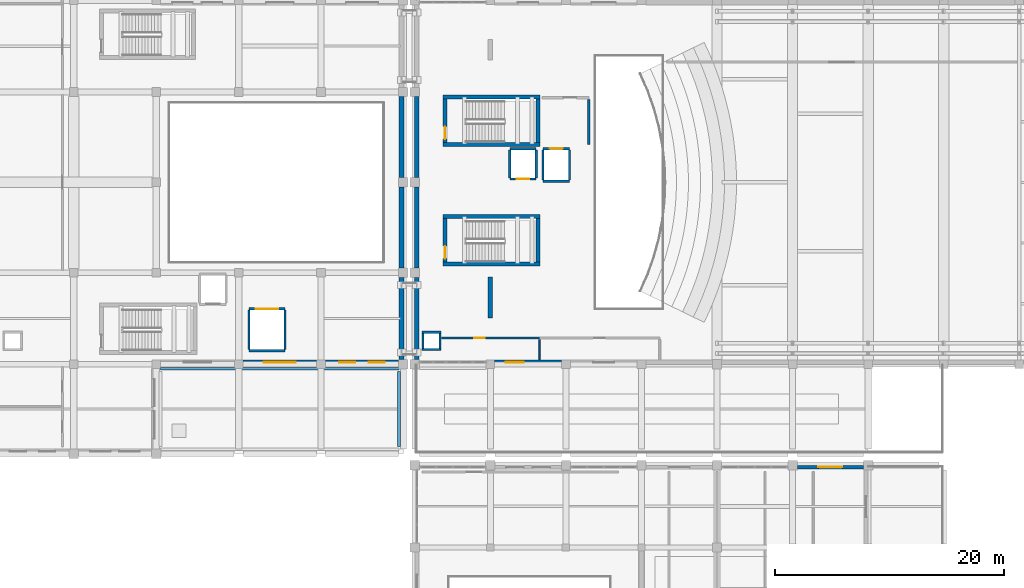
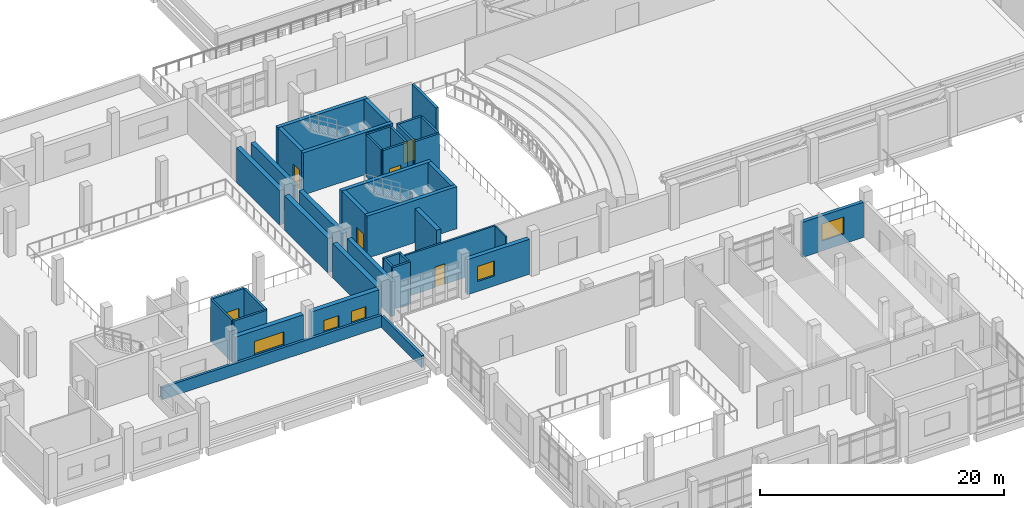
# One storey, part 39 of 54: 40 walls, 6 doors, 5 windows, 11 openings.
"""IFC4 building model written with IfcOpenShell, lengths in metres."""

from ifc_helpers import new_model, si_unit, direction, frame, frame_2d, origin, place, context, subcontext, project, spatial, rectangle, extrude, material, layer, layer_set, type_object, element, fill, save


model = new_model("IFC4")

# Units and contexts
model_context = context("Model", 3, precision=1e-05, world=origin(), true_north=direction((0.0, 1.0)))
body_context = subcontext(model_context, "Body", "Model", "MODEL_VIEW")
ifc_project = project(units=[si_unit("LENGTHUNIT", "METRE"), si_unit("AREAUNIT", "SQUARE_METRE"), si_unit("VOLUMEUNIT", "CUBIC_METRE"), si_unit("PLANEANGLEUNIT", "RADIAN"), si_unit("MASSUNIT", "GRAM", prefix="KILO")], contexts=[model_context])

# Site, building, storey
site_placement = place(None, origin())
site = spatial("IfcSite", under=ifc_project, at=site_placement, CompositionType="ELEMENT")
building_placement = place(site_placement, origin())
building = spatial("IfcBuilding", under=site, at=building_placement, Name="Kelarvand Opera House", CompositionType="ELEMENT")
storey_placement = place(building_placement, frame((0.0, 0.0, 15.0)))
storey = spatial("IfcBuildingStorey", under=building, at=storey_placement, Name="L03", CompositionType="ELEMENT", Elevation=15.0)

# Walls
ifc_material_1 = material(Name="Concrete C35/45", Category="concrete")
ifc_layer_1 = layer(ifc_material_1, 0.39990234375, Name="Concrete C35/45", Category="concrete")
ifc_layer_set_1 = layer_set([ifc_layer_1], Name="Concrete C35/45")
wall_type_1 = type_object("IfcWallType", Name="Acoustic Brick-Travertine Double Wall 400", PredefinedType="SOLIDWALL", material=ifc_layer_set_1)
wall_1_placement = place(storey_placement, frame((89.179931640625, 47.010009765625, 0.0), z_axis=(0.0, 0.0, 1.0), x_axis=(0.0, 1.0, 0.0)))
element("IfcWall", 1, at=wall_1_placement, inside=storey, type_object=wall_type_1, Name="V1 L03 Exterior Wall EW-400 (137)", PredefinedType="SOLIDWALL", context=body_context, shape_type="SweptSolid", body=[
    extrude(rectangle(XDim=7.179931640625, YDim=0.39990234375, at=frame_2d((3.58984375, 0.0))), origin(), (0.0, 0.0, 1.0), 3.4619140625),
])
for number, where, z_axis, x_axis, name in (
    (2, (89.179931640625, 55.010009765625, 0.0), (0.0, 0.0, 1.0), (0.0, 1.0, 0.0), "V1 L03 Exterior Wall EW-400 (138)"),
    (3, (89.179931640625, 62.909912109375, 0.0), (0.0, 0.0, 1.0), (0.0, 1.0, 0.0), "V1 L03 Exterior Wall EW-400 (139)"),
):
    element("IfcWall", number, at=place(storey_placement, frame(where, z_axis=z_axis, x_axis=x_axis)), inside=storey, type_object=wall_type_1, Name=name, PredefinedType="SOLIDWALL", context=body_context, shape_type="SweptSolid", body=[
        extrude(rectangle(XDim=7.080078125, YDim=0.39990234375, at=frame_2d((3.5400390625, 0.0))), origin(), (0.0, 0.0, 1.0), 3.4619140625),
    ])

# Wall, opening, window
wall_2_placement = place(storey_placement, frame((101.824951171875, 46.780029296875, 0.0), z_axis=(0.0, 0.0, 1.0), x_axis=(-1.0, 0.0, 0.0)))
wall_2 = element("IfcWall", 4, at=wall_2_placement, inside=storey, type_object=wall_type_1, Name="V1 L03 Exterior Wall EW-400 (148)", PredefinedType="SOLIDWALL", context=body_context, shape_type="SweptSolid", body=[
    extrude(rectangle(XDim=5.849853515625, YDim=0.39990234375, at=frame_2d((2.9248046875, 0.0))), origin(), (0.0, 0.0, 1.0), 3.511962890625),
])
opening_1_placement = place(wall_2_placement, frame((3.294921875, 0.0, 1.0)))
opening_1 = element("IfcOpeningElement", 5, at=opening_1_placement, cuts=wall_2, Name="Opening WN-27", PredefinedType="OPENING", context=body_context, shape_type="SweptSolid", body=[
    extrude(rectangle(XDim=1.60009765625, YDim=1.5, at=frame_2d((0.800048828125, 0.75))), frame((0.0, 0.2099609375, 0.0), z_axis=(0.0, -1.0, 0.0), x_axis=(1.0, 0.0, 0.0)), (0.0, 0.0, 1.0), 0.419921875),
])
ifc_material_2 = material(Name="Thermally broken aluminium and low-E double glazing", Category="aluminium")
window_type_1 = type_object("IfcWindowType", Name="Recessed Aluminium Thermal Window 1600x1500 WN-27", PartitioningType="SINGLE_PANEL", PredefinedType="WINDOW", material=ifc_material_2)
window_1_placement = place(opening_1_placement, origin())
window_1 = element("IfcWindow", 6, at=window_1_placement, inside=storey, type_object=window_type_1, Name="V1 L03 Facade Window WN-27 (4)", OverallHeight=1.5, OverallWidth=1.60009765625, PartitioningType="SINGLE_PANEL", PredefinedType="WINDOW", context=body_context, shape_type="SweptSolid", body=[
    extrude(rectangle(XDim=1.60009765625, YDim=1.5, at=frame_2d((0.800048828125, 0.75))), frame((0.0, 0.030029296875, 0.0), z_axis=(0.0, -1.0, 0.0), x_axis=(1.0, 0.0, 0.0)), (0.0, 0.0, 1.0), 0.06005859375),
])
fill(opening_1, window_1)

# Walls
ifc_material_3 = material(Name="Acoustic double-stud gypsum partition")
ifc_layer_2 = layer(ifc_material_3, 0.14990234375, Name="Acoustic double-stud gypsum partition")
ifc_layer_set_2 = layer_set([ifc_layer_2], Name="Acoustic double-stud gypsum partition")
wall_type_2 = type_object("IfcWallType", Name="Acoustic Room Partition Wall 150", PredefinedType="PARTITIONING", material=ifc_layer_set_2)
wall_3_placement = place(storey_placement, frame((99.89990234375, 47.0, 0.0), z_axis=(0.0, 0.0, 1.0), x_axis=(0.0, 1.0, 0.0)))
element("IfcWall", 7, at=wall_3_placement, inside=storey, type_object=wall_type_2, Name="V1 L03 Partition Wall IW-150 (575)", PredefinedType="PARTITIONING", context=body_context, shape_type="SweptSolid", body=[
    extrude(rectangle(XDim=1.760009765625, YDim=0.14990234375, at=frame_2d((0.8798828125, 0.0))), origin(), (0.0, 0.0, 1.0), 4.19189453125),
])
ifc_layer_3 = layer(ifc_material_1, 0.239990234375, Name="Concrete C35/45", Category="concrete")
ifc_layer_set_3 = layer_set([ifc_layer_3], Name="Concrete C35/45")
wall_type_3 = type_object("IfcWallType", Name="Capped Travertine Roof Parapet 240", PredefinedType="PARAPET", material=ifc_layer_set_3)
wall_4_placement = place(storey_placement, frame((87.6201171875, 46.219970703125, 0.0), z_axis=(0.0, 0.0, 1.0), x_axis=(-1.0, 0.0, 0.0)))
element("IfcWall", 8, at=wall_4_placement, inside=storey, type_object=wall_type_3, Name="V2 Roof Parapet 6", PredefinedType="PARAPET", context=body_context, shape_type="SweptSolid", body=[
    extrude(rectangle(XDim=20.840087890625, YDim=0.239990234375, at=frame_2d((10.419921875, 0.0))), origin(), (0.0, 0.0, 1.0), 1.199951171875),
])
wall_5_placement = place(storey_placement, frame((87.6201171875, 39.419921875, 0.0), z_axis=(0.0, 0.0, 1.0), x_axis=(0.0, 1.0, 0.0)))
element("IfcWall", 9, at=wall_5_placement, inside=storey, type_object=wall_type_3, Name="V2 Roof Parapet 8", PredefinedType="PARAPET", context=body_context, shape_type="SweptSolid", body=[
    extrude(rectangle(XDim=6.56005859375, YDim=0.239990234375, at=frame_2d((3.280029296875, 0.0))), origin(), (0.0, 0.0, 1.0), 1.199951171875),
])
ifc_material_4 = material(Name="Concrete C40/50", Category="concrete")
ifc_layer_4 = layer(ifc_material_4, 0.35009765625, Name="Concrete C40/50", Category="concrete")
ifc_layer_set_4 = layer_set([ifc_layer_4], Name="Concrete C40/50")
wall_type_4 = type_object("IfcWallType", Name="Core Stair and Lift Shear Wall 350", PredefinedType="SHEAR", material=ifc_layer_set_4)
for number, where, z_axis, x_axis, name in (
    (10, (91.449951171875, 65.824951171875, 0.0), (0.0, 0.0, 1.0), (1.0, 0.0, 0.0), "C1 Stair Core Shear Wall S L03"),
    (11, (99.949951171875, 69.97509765625, 0.0), (0.0, 0.0, 1.0), (-1.0, 0.0, 0.0), "C1 Stair Core Shear Wall N L03"),
):
    element("IfcWall", number, at=place(storey_placement, frame(where, z_axis=z_axis, x_axis=x_axis)), inside=storey, type_object=wall_type_4, Name=name, PredefinedType="SHEAR", context=body_context, shape_type="SweptSolid", body=[
        extrude(rectangle(XDim=8.5, YDim=0.35009765625, at=frame_2d((4.25, 0.0))), origin(), (0.0, 0.0, 1.0), 4.219970703125),
    ])

# Wall, opening, door
wall_6_placement = place(storey_placement, frame((91.625, 66.0, 0.0), z_axis=(0.0, 0.0, 1.0), x_axis=(0.0, 1.0, 0.0)))
wall_6 = element("IfcWall", 12, at=wall_6_placement, inside=storey, type_object=wall_type_4, Name="C1 Stair Core Shear Wall W L03", PredefinedType="SHEAR", context=body_context, shape_type="SweptSolid", body=[
    extrude(rectangle(XDim=3.800048828125, YDim=0.35009765625, at=frame_2d((1.89990234375, 0.0))), origin(), (0.0, 0.0, 1.0), 4.219970703125),
])
opening_2_placement = place(wall_6_placement, frame((0.280029296875, 0.0, 0.0)))
opening_2 = element("IfcOpeningElement", 13, at=opening_2_placement, cuts=wall_6, Name="Opening FD-01", PredefinedType="OPENING", context=body_context, shape_type="SweptSolid", body=[
    extrude(rectangle(XDim=1.10009765625, YDim=2.080078125, at=frame_2d((0.550048828125, 1.0400390625))), frame((0.0, 0.18505859375, 0.0), z_axis=(0.0, -1.0, 0.0), x_axis=(1.0, 0.0, 0.0)), (0.0, 0.0, 1.0), 0.3701171875),
])
ifc_material_5 = material(Name="Fire-rated brushed stainless steel", Category="steel")
door_type_1 = type_object("IfcDoorType", Name="Steel Fire-Rated Stair and FF Lobby Door 1100x2080", OperationType="NOTDEFINED", PredefinedType="DOOR", material=ifc_material_5)
door_1_placement = place(opening_2_placement, origin())
door_1 = element("IfcDoor", 14, at=door_1_placement, inside=storey, type_object=door_type_1, Name="C1 Stair ST-01 Fire Door L03", OperationType="SINGLE_SWING_LEFT", OverallHeight=2.080078125, OverallWidth=1.10009765625, PredefinedType="DOOR", context=body_context, shape_type="SweptSolid", body=[
    extrude(rectangle(XDim=1.10009765625, YDim=2.080078125, at=frame_2d((0.550048828125, 1.0400390625))), frame((0.0, 0.02490234375, 0.0), z_axis=(0.0, -1.0, 0.0), x_axis=(1.0, 0.0, 0.0)), (0.0, 0.0, 1.0), 0.050048828125),
])
fill(opening_2, door_1)

# Walls
wall_7_placement = place(storey_placement, frame((99.77490234375, 69.800048828125, 0.0), z_axis=(0.0, 0.0, 1.0), x_axis=(0.0, -1.0, 0.0)))
element("IfcWall", 15, at=wall_7_placement, inside=storey, type_object=wall_type_4, Name="C1 Stair Core Shear Wall E L03", PredefinedType="SHEAR", context=body_context, shape_type="SweptSolid", body=[
    extrude(rectangle(XDim=3.800048828125, YDim=0.35009765625, at=frame_2d((1.89990234375, 0.0))), origin(), (0.0, 0.0, 1.0), 4.219970703125),
])
for number, where, z_axis, x_axis, name in (
    (16, (91.449951171875, 55.375, 0.0), (0.0, 0.0, 1.0), (1.0, 0.0, 0.0), "C4 Stair Core Shear Wall S L03"),
    (17, (99.949951171875, 59.52490234375, 0.0), (0.0, 0.0, 1.0), (-1.0, 0.0, 0.0), "C4 Stair Core Shear Wall N L03"),
):
    element("IfcWall", number, at=place(storey_placement, frame(where, z_axis=z_axis, x_axis=x_axis)), inside=storey, type_object=wall_type_4, Name=name, PredefinedType="SHEAR", context=body_context, shape_type="SweptSolid", body=[
        extrude(rectangle(XDim=8.5, YDim=0.35009765625, at=frame_2d((4.25, 0.0))), origin(), (0.0, 0.0, 1.0), 4.219970703125),
    ])

# Wall, opening, door
wall_8_placement = place(storey_placement, frame((91.625, 55.550048828125, 0.0), z_axis=(0.0, 0.0, 1.0), x_axis=(0.0, 1.0, 0.0)))
wall_8 = element("IfcWall", 18, at=wall_8_placement, inside=storey, type_object=wall_type_4, Name="C4 Stair Core Shear Wall W L03", PredefinedType="SHEAR", context=body_context, shape_type="SweptSolid", body=[
    extrude(rectangle(XDim=3.800048828125, YDim=0.35009765625, at=frame_2d((1.89990234375, 0.0))), origin(), (0.0, 0.0, 1.0), 4.219970703125),
])
opening_3_placement = place(wall_8_placement, frame((0.280029296875, 0.0, 0.0)))
opening_3 = element("IfcOpeningElement", 19, at=opening_3_placement, cuts=wall_8, Name="Opening FD-01", PredefinedType="OPENING", context=body_context, shape_type="SweptSolid", body=[
    extrude(rectangle(XDim=1.10009765625, YDim=2.080078125, at=frame_2d((0.550048828125, 1.0400390625))), frame((0.0, 0.18505859375, 0.0), z_axis=(0.0, -1.0, 0.0), x_axis=(1.0, 0.0, 0.0)), (0.0, 0.0, 1.0), 0.3701171875),
])
door_2_placement = place(opening_3_placement, origin())
door_2 = element("IfcDoor", 20, at=door_2_placement, inside=storey, type_object=door_type_1, Name="C4 Stair ST-04 Fire Door L03", OperationType="SINGLE_SWING_RIGHT", OverallHeight=2.080078125, OverallWidth=1.10009765625, PredefinedType="DOOR", context=body_context, shape_type="SweptSolid", body=[
    extrude(rectangle(XDim=1.10009765625, YDim=2.080078125, at=frame_2d((0.550048828125, 1.0400390625))), frame((0.0, 0.02490234375, 0.0), z_axis=(0.0, -1.0, 0.0), x_axis=(1.0, 0.0, 0.0)), (0.0, 0.0, 1.0), 0.050048828125),
])
fill(opening_3, door_2)

# Wall
wall_9_placement = place(storey_placement, frame((99.77490234375, 59.35009765625, 0.0), z_axis=(0.0, 0.0, 1.0), x_axis=(0.0, -1.0, 0.0)))
element("IfcWall", 21, at=wall_9_placement, inside=storey, type_object=wall_type_4, Name="C4 Stair Core Shear Wall E L03", PredefinedType="SHEAR", context=body_context, shape_type="SweptSolid", body=[
    extrude(rectangle(XDim=3.800048828125, YDim=0.35009765625, at=frame_2d((1.89990234375, 0.0))), origin(), (0.0, 0.0, 1.0), 4.219970703125),
])

# Wall, opening, door
ifc_layer_5 = layer(ifc_material_1, 0.179931640625, Name="Concrete C35/45", Category="concrete")
ifc_layer_set_5 = layer_set([ifc_layer_5], Name="Concrete C35/45")
wall_type_5 = type_object("IfcWallType", Name="Corridor Fire-Rated Partition Wall 180 EI90", PredefinedType="PARTITIONING", material=ifc_layer_set_5)
wall_10_placement = place(storey_placement, frame((91.340087890625, 48.89990234375, 0.0), z_axis=(0.0, 0.0, 1.0), x_axis=(1.0, 0.0, 0.0)))
wall_10 = element("IfcWall", 22, at=wall_10_placement, inside=storey, type_object=wall_type_5, Name="V1 L03 Partition Wall IW-90 (574)", PredefinedType="PARTITIONING", context=body_context, shape_type="SweptSolid", body=[
    extrude(rectangle(XDim=8.559814453125, YDim=0.179931640625, at=frame_2d((4.27978515625, 0.0))), origin(), (0.0, 0.0, 1.0), 4.19189453125),
])
opening_4_placement = place(wall_10_placement, frame((2.85009765625, 0.0, 0.0)))
opening_4 = element("IfcOpeningElement", 23, at=opening_4_placement, cuts=wall_10, Name="Opening D-01", PredefinedType="OPENING", context=body_context, shape_type="SweptSolid", body=[
    extrude(rectangle(XDim=0.919921875, YDim=2.050048828125, at=frame_2d((0.4599609375, 1.02490234375))), frame((0.0, 0.10009765625, 0.0), z_axis=(0.0, -1.0, 0.0), x_axis=(1.0, 0.0, 0.0)), (0.0, 0.0, 1.0), 0.199951171875),
])
ifc_material_6 = material(Name="Acoustic walnut-veneered hardwood", Category="wood")
door_type_2 = type_object("IfcDoorType", Name="Solid Timber Dressing and WC Door 920x2050", OperationType="NOTDEFINED", PredefinedType="DOOR", material=ifc_material_6)
door_3_placement = place(opening_4_placement, origin())
door_3 = element("IfcDoor", 24, at=door_3_placement, inside=storey, type_object=door_type_2, Name="V1 L03 Door D-01 (256)", OperationType="SINGLE_SWING_RIGHT", OverallHeight=2.050048828125, OverallWidth=0.919921875, PredefinedType="DOOR", context=body_context, shape_type="SweptSolid", body=[
    extrude(rectangle(XDim=0.919921875, YDim=2.050048828125, at=frame_2d((0.4599609375, 1.02490234375))), frame((0.0, 0.02490234375, 0.0), z_axis=(0.0, -1.0, 0.0), x_axis=(1.0, 0.0, 0.0)), (0.0, 0.0, 1.0), 0.050048828125),
])
fill(opening_4, door_3)

# Wall
ifc_layer_6 = layer(ifc_material_1, 0.239990234375, Name="Concrete C35/45", Category="concrete")
ifc_layer_set_6 = layer_set([ifc_layer_6], Name="Concrete C35/45")
wall_type_6 = type_object("IfcWallType", Name="Firefighting Lobby Partition Wall 240 EI120", PredefinedType="PARTITIONING", material=ifc_layer_set_6)
wall_11_placement = place(storey_placement, frame((104.199951171875, 69.760009765625, 0.0), z_axis=(0.0, 0.0, 1.0), x_axis=(0.0, -1.0, 0.0)))
element("IfcWall", 25, at=wall_11_placement, inside=storey, type_object=wall_type_6, Name="V1 L03 Partition Wall IW-120 (556)", PredefinedType="PARTITIONING", context=body_context, shape_type="SweptSolid", body=[
    extrude(rectangle(XDim=3.9599609375, YDim=0.239990234375, at=frame_2d((1.97998046875, 0.0))), origin(), (0.0, 0.0, 1.0), 4.19189453125),
])

# Wall, opening, window
ifc_layer_7 = layer(ifc_material_1, 0.320068359375, Name="Concrete C35/45", Category="concrete")
ifc_layer_set_7 = layer_set([ifc_layer_7], Name="Concrete C35/45")
wall_type_7 = type_object("IfcWallType", Name="Insulated Buff Brick Cavity Wall 320", PredefinedType="SOLIDWALL", material=ifc_layer_set_7)
wall_12_placement = place(storey_placement, frame((122.409912109375, 37.6201171875, 0.0), z_axis=(0.0, 0.0, 1.0), x_axis=(1.0, 0.0, 0.0)))
wall_12 = element("IfcWall", 26, at=wall_12_placement, inside=storey, type_object=wall_type_7, Name="V6 L03 Exterior Wall EW-320 (754)", PredefinedType="SOLIDWALL", context=body_context, shape_type="SweptSolid", body=[
    extrude(rectangle(XDim=5.780029296875, YDim=0.320068359375, at=frame_2d((2.89013671875, 0.0))), origin(), (0.0, 0.0, 1.0), 3.52197265625),
])
opening_5_placement = place(wall_12_placement, frame((1.840087890625, 0.0, 1.0)))
opening_5 = element("IfcOpeningElement", 27, at=opening_5_placement, cuts=wall_12, Name="Opening WN-19", PredefinedType="OPENING", context=body_context, shape_type="SweptSolid", body=[
    extrude(rectangle(XDim=2.10009765625, YDim=1.699951171875, at=frame_2d((1.050048828125, 0.85009765625))), frame((0.0, 0.169921875, 0.0), z_axis=(0.0, -1.0, 0.0), x_axis=(1.0, 0.0, 0.0)), (0.0, 0.0, 1.0), 0.340087890625),
])
window_type_2 = type_object("IfcWindowType", Name="Recessed Aluminium Thermal Window 2100x1700 WN-19", PartitioningType="SINGLE_PANEL", PredefinedType="WINDOW", material=ifc_material_2)
window_2_placement = place(opening_5_placement, origin())
window_2 = element("IfcWindow", 28, at=window_2_placement, inside=storey, type_object=window_type_2, Name="V6 L03 Facade Window WN-19 (358)", OverallHeight=1.699951171875, OverallWidth=2.10009765625, PartitioningType="SINGLE_PANEL", PredefinedType="WINDOW", context=body_context, shape_type="SweptSolid", body=[
    extrude(rectangle(XDim=2.10009765625, YDim=1.699951171875, at=frame_2d((1.050048828125, 0.85009765625))), frame((0.0, 0.030029296875, 0.0), z_axis=(0.0, -1.0, 0.0), x_axis=(1.0, 0.0, 0.0)), (0.0, 0.0, 1.0), 0.06005859375),
])
fill(opening_5, window_2)

# Walls
ifc_layer_8 = layer(ifc_material_1, 0.199951171875, Name="Concrete C35/45", Category="concrete")
ifc_layer_set_8 = layer_set([ifc_layer_8], Name="Concrete C35/45")
wall_type_8 = type_object("IfcWallType", Name="Lift and Riser Shaft Enclosure Wall 200 EI120", PredefinedType="PARTITIONING", material=ifc_layer_set_8)
for number, where, z_axis, x_axis, name in (
    (29, (89.60009765625, 47.89990234375, 0.0), (0.0, 0.0, 1.0), (1.0, 0.0, 0.0), "RSR-V1 L03 Riser Shaft Wall 21"),
    (30, (91.300048828125, 49.39990234375, 0.0), (0.0, 0.0, 1.0), (-1.0, 0.0, 0.0), "RSR-V1 L03 Riser Shaft Wall 22"),
):
    element("IfcWall", number, at=place(storey_placement, frame(where, z_axis=z_axis, x_axis=x_axis)), inside=storey, type_object=wall_type_8, Name=name, PredefinedType="PARTITIONING", context=body_context, shape_type="SweptSolid", body=[
        extrude(rectangle(XDim=1.699951171875, YDim=0.199951171875, at=frame_2d((0.85009765625, 0.0))), origin(), (0.0, 0.0, 1.0), 4.199951171875),
    ])
for number, where, z_axis, x_axis, name in (
    (31, (89.699951171875, 48.0, 0.0), (0.0, 0.0, 1.0), (0.0, 1.0, 0.0), "RSR-V1 L03 Riser Shaft Wall 23"),
    (32, (91.199951171875, 49.300048828125, 0.0), (0.0, 0.0, 1.0), (0.0, -1.0, 0.0), "RSR-V1 L03 Riser Shaft Wall 24"),
):
    element("IfcWall", number, at=place(storey_placement, frame(where, z_axis=z_axis, x_axis=x_axis)), inside=storey, type_object=wall_type_8, Name=name, PredefinedType="PARTITIONING", context=body_context, shape_type="SweptSolid", body=[
        extrude(rectangle(XDim=1.300048828125, YDim=0.199951171875, at=frame_2d((0.64990234375, 0.0))), origin(), (0.0, 0.0, 1.0), 4.199951171875),
    ])
wall_13_placement = place(storey_placement, frame((100.199951171875, 62.60009765625, 0.0), z_axis=(0.0, 0.0, 1.0), x_axis=(1.0, 0.0, 0.0)))
element("IfcWall", 33, at=wall_13_placement, inside=storey, type_object=wall_type_8, Name="V1 L03 Partition Wall SW-200 (547)", PredefinedType="PARTITIONING", context=body_context, shape_type="SweptSolid", body=[
    extrude(rectangle(XDim=2.300048828125, YDim=0.199951171875, at=frame_2d((1.14990234375, 0.0))), origin(), (0.0, 0.0, 1.0), 4.19189453125),
])

# Wall, opening, door
wall_14_placement = place(storey_placement, frame((102.5, 65.449951171875, 0.0), z_axis=(0.0, 0.0, 1.0), x_axis=(-1.0, 0.0, 0.0)))
wall_14 = element("IfcWall", 34, at=wall_14_placement, inside=storey, type_object=wall_type_8, Name="V1 L03 Partition Wall SW-200 (548)", PredefinedType="PARTITIONING", context=body_context, shape_type="SweptSolid", body=[
    extrude(rectangle(XDim=2.300048828125, YDim=0.199951171875, at=frame_2d((1.14990234375, 0.0))), origin(), (0.0, 0.0, 1.0), 4.19189453125),
])
opening_6_placement = place(wall_14_placement, frame((0.60009765625, 0.0, 0.0)))
opening_6 = element("IfcOpeningElement", 35, at=opening_6_placement, cuts=wall_14, Name="Opening LD-01", PredefinedType="OPENING", context=body_context, shape_type="SweptSolid", body=[
    extrude(rectangle(XDim=1.10009765625, YDim=2.14990234375, at=frame_2d((0.550048828125, 1.074951171875))), frame((0.0, 0.10986328125, 0.0), z_axis=(0.0, -1.0, 0.0), x_axis=(1.0, 0.0, 0.0)), (0.0, 0.0, 1.0), 0.219970703125),
])
door_type_3 = type_object("IfcDoorType", Name="Passenger Lift Sliding Landing Door 1100x2150", OperationType="SLIDING_TO_LEFT", PredefinedType="DOOR", material=ifc_material_5)
door_4_placement = place(opening_6_placement, origin())
door_4 = element("IfcDoor", 36, at=door_4_placement, inside=storey, type_object=door_type_3, Name="V1 L03 Door LD-01 (247)", OperationType="SLIDING_TO_LEFT", OverallHeight=2.14990234375, OverallWidth=1.10009765625, PredefinedType="DOOR", context=body_context, shape_type="SweptSolid", body=[
    extrude(rectangle(XDim=1.10009765625, YDim=2.14990234375, at=frame_2d((0.550048828125, 1.074951171875))), frame((0.0, 0.02490234375, 0.0), z_axis=(0.0, -1.0, 0.0), x_axis=(1.0, 0.0, 0.0)), (0.0, 0.0, 1.0), 0.050048828125),
])
fill(opening_6, door_4)

# Walls
for number, where, z_axis, x_axis, name in (
    (37, (100.199951171875, 62.699951171875, 0.0), (0.0, 0.0, 1.0), (0.0, 1.0, 0.0), "V1 L03 Partition Wall SW-200 (549)"),
    (38, (102.5, 65.35009765625, 0.0), (0.0, 0.0, 1.0), (0.0, -1.0, 0.0), "V1 L03 Partition Wall SW-200 (550)"),
):
    element("IfcWall", number, at=place(storey_placement, frame(where, z_axis=z_axis, x_axis=x_axis)), inside=storey, type_object=wall_type_8, Name=name, PredefinedType="PARTITIONING", context=body_context, shape_type="SweptSolid", body=[
        extrude(rectangle(XDim=2.650146484375, YDim=0.199951171875, at=frame_2d((1.3251953125, 0.0))), origin(), (0.0, 0.0, 1.0), 4.19189453125),
    ])

# Wall, opening, door
wall_15_placement = place(storey_placement, frame((97.300048828125, 62.800048828125, 0.0), z_axis=(0.0, 0.0, 1.0), x_axis=(1.0, 0.0, 0.0)))
wall_15 = element("IfcWall", 39, at=wall_15_placement, inside=storey, type_object=wall_type_8, Name="V1 L03 Partition Wall SW-200 (551)", PredefinedType="PARTITIONING", context=body_context, shape_type="SweptSolid", body=[
    extrude(rectangle(XDim=2.300048828125, YDim=0.199951171875, at=frame_2d((1.14990234375, 0.0))), origin(), (0.0, 0.0, 1.0), 4.19189453125),
])
opening_7_placement = place(wall_15_placement, frame((0.60009765625, 0.0, 0.0)))
opening_7 = element("IfcOpeningElement", 40, at=opening_7_placement, cuts=wall_15, Name="Opening LD-01", PredefinedType="OPENING", context=body_context, shape_type="SweptSolid", body=[
    extrude(rectangle(XDim=1.10009765625, YDim=2.14990234375, at=frame_2d((0.550048828125, 1.074951171875))), frame((0.0, 0.10986328125, 0.0), z_axis=(0.0, -1.0, 0.0), x_axis=(1.0, 0.0, 0.0)), (0.0, 0.0, 1.0), 0.219970703125),
])
door_5_placement = place(opening_7_placement, origin())
door_5 = element("IfcDoor", 41, at=door_5_placement, inside=storey, type_object=door_type_3, Name="V1 L03 Door LD-01 (248)", OperationType="SLIDING_TO_LEFT", OverallHeight=2.14990234375, OverallWidth=1.10009765625, PredefinedType="DOOR", context=body_context, shape_type="SweptSolid", body=[
    extrude(rectangle(XDim=1.10009765625, YDim=2.14990234375, at=frame_2d((0.550048828125, 1.074951171875))), frame((0.0, 0.02490234375, 0.0), z_axis=(0.0, -1.0, 0.0), x_axis=(1.0, 0.0, 0.0)), (0.0, 0.0, 1.0), 0.050048828125),
])
fill(opening_7, door_5)

# Walls
wall_16_placement = place(storey_placement, frame((99.60009765625, 65.449951171875, 0.0), z_axis=(0.0, 0.0, 1.0), x_axis=(-1.0, 0.0, 0.0)))
element("IfcWall", 42, at=wall_16_placement, inside=storey, type_object=wall_type_8, Name="V1 L03 Partition Wall SW-200 (552)", PredefinedType="PARTITIONING", context=body_context, shape_type="SweptSolid", body=[
    extrude(rectangle(XDim=2.300048828125, YDim=0.199951171875, at=frame_2d((1.14990234375, 0.0))), origin(), (0.0, 0.0, 1.0), 4.19189453125),
])
for number, where, z_axis, x_axis, name in (
    (43, (97.300048828125, 62.89990234375, 0.0), (0.0, 0.0, 1.0), (0.0, 1.0, 0.0), "V1 L03 Partition Wall SW-200 (553)"),
    (44, (99.60009765625, 65.35009765625, 0.0), (0.0, 0.0, 1.0), (0.0, -1.0, 0.0), "V1 L03 Partition Wall SW-200 (554)"),
):
    element("IfcWall", number, at=place(storey_placement, frame(where, z_axis=z_axis, x_axis=x_axis)), inside=storey, type_object=wall_type_8, Name=name, PredefinedType="PARTITIONING", context=body_context, shape_type="SweptSolid", body=[
        extrude(rectangle(XDim=2.4501953125, YDim=0.199951171875, at=frame_2d((1.22509765625, 0.0))), origin(), (0.0, 0.0, 1.0), 4.19189453125),
    ])
wall_17_placement = place(storey_placement, frame((74.5, 47.800048828125, 0.0), z_axis=(0.0, 0.0, 1.0), x_axis=(1.0, 0.0, 0.0)))
element("IfcWall", 45, at=wall_17_placement, inside=storey, type_object=wall_type_8, Name="V2 L03 Partition Wall SW-200 (561)", PredefinedType="PARTITIONING", context=body_context, shape_type="SweptSolid", body=[
    extrude(rectangle(XDim=3.14990234375, YDim=0.199951171875, at=frame_2d((1.574951171875, 0.0))), origin(), (0.0, 0.0, 1.0), 4.19189453125),
])

# Wall, opening, door
wall_18_placement = place(storey_placement, frame((77.64990234375, 51.449951171875, 0.0), z_axis=(0.0, 0.0, 1.0), x_axis=(-1.0, 0.0, 0.0)))
wall_18 = element("IfcWall", 46, at=wall_18_placement, inside=storey, type_object=wall_type_8, Name="V2 L03 Partition Wall SW-200 (562)", PredefinedType="PARTITIONING", context=body_context, shape_type="SweptSolid", body=[
    extrude(rectangle(XDim=3.14990234375, YDim=0.199951171875, at=frame_2d((1.574951171875, 0.0))), origin(), (0.0, 0.0, 1.0), 4.19189453125),
])
opening_8_placement = place(wall_18_placement, frame((0.574951171875, 0.0, 0.0)))
opening_8 = element("IfcOpeningElement", 47, at=opening_8_placement, cuts=wall_18, Name="Opening LD-03", PredefinedType="OPENING", context=body_context, shape_type="SweptSolid", body=[
    extrude(rectangle(XDim=2.0, YDim=2.35009765625, at=frame_2d((1.0, 1.175048828125))), frame((0.0, 0.10986328125, 0.0), z_axis=(0.0, -1.0, 0.0), x_axis=(1.0, 0.0, 0.0)), (0.0, 0.0, 1.0), 0.219970703125),
])
door_type_4 = type_object("IfcDoorType", Name="Scenery Goods Lift Sliding Landing Door 2000x2350", OperationType="SLIDING_TO_LEFT", PredefinedType="DOOR", material=ifc_material_5)
door_6_placement = place(opening_8_placement, origin())
door_6 = element("IfcDoor", 48, at=door_6_placement, inside=storey, type_object=door_type_4, Name="V2 L03 Door LD-03 (251)", OperationType="SLIDING_TO_LEFT", OverallHeight=2.35009765625, OverallWidth=2.0, PredefinedType="DOOR", context=body_context, shape_type="SweptSolid", body=[
    extrude(rectangle(XDim=2.0, YDim=2.35009765625, at=frame_2d((1.0, 1.175048828125))), frame((0.0, 0.02490234375, 0.0), z_axis=(0.0, -1.0, 0.0), x_axis=(1.0, 0.0, 0.0)), (0.0, 0.0, 1.0), 0.050048828125),
])
fill(opening_8, door_6)

# Walls
for number, where, z_axis, x_axis, name in (
    (49, (74.5, 47.89990234375, 0.0), (0.0, 0.0, 1.0), (0.0, 1.0, 0.0), "V2 L03 Partition Wall SW-200 (563)"),
    (50, (77.64990234375, 51.35009765625, 0.0), (0.0, 0.0, 1.0), (0.0, -1.0, 0.0), "V2 L03 Partition Wall SW-200 (564)"),
):
    element("IfcWall", number, at=place(storey_placement, frame(where, z_axis=z_axis, x_axis=x_axis)), inside=storey, type_object=wall_type_8, Name=name, PredefinedType="PARTITIONING", context=body_context, shape_type="SweptSolid", body=[
        extrude(rectangle(XDim=3.4501953125, YDim=0.199951171875, at=frame_2d((1.72509765625, 0.0))), origin(), (0.0, 0.0, 1.0), 4.19189453125),
    ])
ifc_layer_9 = layer(ifc_material_4, 0.39990234375, Name="Concrete C40/50", Category="concrete")
ifc_layer_set_9 = layer_set([ifc_layer_9], Name="Concrete C40/50")
wall_type_9 = type_object("IfcWallType", Name="Seismic Compartment Shear Wall 400", PredefinedType="SHEAR", material=ifc_layer_set_9)
wall_19_placement = place(storey_placement, frame((95.60009765625, 50.64990234375, 0.0), z_axis=(0.0, 0.0, 1.0), x_axis=(0.0, 1.0, 0.0)))
element("IfcWall", 51, at=wall_19_placement, inside=storey, type_object=wall_type_9, Name="V1 Shear Wall CW-120 L03", PredefinedType="SHEAR", context=body_context, shape_type="SweptSolid", body=[
    extrude(rectangle(XDim=3.5751953125, YDim=0.39990234375, at=frame_2d((1.78759765625, 0.0))), origin(), (0.0, 0.0, 1.0), 4.179931640625),
])
ifc_layer_10 = layer(ifc_material_1, 0.43994140625, Name="Concrete C35/45", Category="concrete")
ifc_layer_set_10 = layer_set([ifc_layer_10], Name="Concrete C35/45")
wall_type_10 = type_object("IfcWallType", Name="Stage House Acoustic Cavity Wall 440", PredefinedType="SOLIDWALL", material=ifc_layer_set_10)
for number, where, z_axis, x_axis, name in (
    (52, (87.820068359375, 69.989990234375, 0.0), (0.0, 0.0, 1.0), (0.0, -1.0, 0.0), "V2 L03 Exterior Wall EW-440 (295)"),
    (53, (87.820068359375, 62.090087890625, 0.0), (0.0, 0.0, 1.0), (0.0, -1.0, 0.0), "V2 L03 Exterior Wall EW-440 (296)"),
):
    element("IfcWall", number, at=place(storey_placement, frame(where, z_axis=z_axis, x_axis=x_axis)), inside=storey, type_object=wall_type_10, Name=name, PredefinedType="SOLIDWALL", context=body_context, shape_type="SweptSolid", body=[
        extrude(rectangle(XDim=7.080078125, YDim=0.43994140625, at=frame_2d((3.5400390625, 0.0))), origin(), (0.0, 0.0, 1.0), 3.4619140625),
    ])
wall_20_placement = place(storey_placement, frame((87.820068359375, 54.18994140625, 0.0), z_axis=(0.0, 0.0, 1.0), x_axis=(0.0, -1.0, 0.0)))
element("IfcWall", 54, at=wall_20_placement, inside=storey, type_object=wall_type_10, Name="V2 L03 Exterior Wall EW-440 (297)", PredefinedType="SOLIDWALL", context=body_context, shape_type="SweptSolid", body=[
    extrude(rectangle(XDim=7.179931640625, YDim=0.43994140625, at=frame_2d((3.58984375, 0.0))), origin(), (0.0, 0.0, 1.0), 3.4619140625),
])

# Wall, openings, windows
wall_21_placement = place(storey_placement, frame((87.590087890625, 46.780029296875, 0.0), z_axis=(0.0, 0.0, 1.0), x_axis=(-1.0, 0.0, 0.0)))
wall_21 = element("IfcWall", 55, at=wall_21_placement, inside=storey, type_object=wall_type_10, Name="V2 L03 Exterior Wall EW-440 (298)", PredefinedType="SOLIDWALL", context=body_context, shape_type="SweptSolid", body=[
    extrude(rectangle(XDim=6.4150390625, YDim=0.43994140625, at=frame_2d((3.20751953125, 0.0))), origin(), (0.0, 0.0, 1.0), 3.4619140625),
])
opening_9_placement = place(wall_21_placement, frame((1.22509765625, 0.0, 1.0)))
opening_9 = element("IfcOpeningElement", 56, at=opening_9_placement, cuts=wall_21, Name="Opening WN-24", PredefinedType="OPENING", context=body_context, shape_type="SweptSolid", body=[
    extrude(rectangle(XDim=1.39990234375, YDim=1.199951171875, at=frame_2d((0.699951171875, 0.60009765625))), frame((0.0, 0.22998046875, 0.0), z_axis=(0.0, -1.0, 0.0), x_axis=(1.0, 0.0, 0.0)), (0.0, 0.0, 1.0), 0.4599609375),
])
opening_10_placement = place(wall_21_placement, frame((3.791015625, 0.0, 1.0)))
opening_10 = element("IfcOpeningElement", 57, at=opening_10_placement, cuts=wall_21, Name="Opening WN-24", PredefinedType="OPENING", context=body_context, shape_type="SweptSolid", body=[
    extrude(rectangle(XDim=1.39990234375, YDim=1.199951171875, at=frame_2d((0.699951171875, 0.60009765625))), frame((0.0, 0.22998046875, 0.0), z_axis=(0.0, -1.0, 0.0), x_axis=(1.0, 0.0, 0.0)), (0.0, 0.0, 1.0), 0.4599609375),
])
window_type_3 = type_object("IfcWindowType", Name="Recessed Aluminium Thermal Window 1400x1200 WN-24", PartitioningType="SINGLE_PANEL", PredefinedType="WINDOW", material=ifc_material_2)
window_3_placement = place(opening_9_placement, origin())
window_3 = element("IfcWindow", 58, at=window_3_placement, inside=storey, type_object=window_type_3, Name="V2 L03 Facade Window WN-24 (84)", OverallHeight=1.199951171875, OverallWidth=1.39990234375, PartitioningType="SINGLE_PANEL", PredefinedType="WINDOW", context=body_context, shape_type="SweptSolid", body=[
    extrude(rectangle(XDim=1.39990234375, YDim=1.199951171875, at=frame_2d((0.699951171875, 0.60009765625))), frame((0.0, 0.030029296875, 0.0), z_axis=(0.0, -1.0, 0.0), x_axis=(1.0, 0.0, 0.0)), (0.0, 0.0, 1.0), 0.06005859375),
])
fill(opening_9, window_3)
window_4_placement = place(opening_10_placement, origin())
window_4 = element("IfcWindow", 59, at=window_4_placement, inside=storey, type_object=window_type_3, Name="V2 L03 Facade Window WN-24 (85)", OverallHeight=1.199951171875, OverallWidth=1.39990234375, PartitioningType="SINGLE_PANEL", PredefinedType="WINDOW", context=body_context, shape_type="SweptSolid", body=[
    extrude(rectangle(XDim=1.39990234375, YDim=1.199951171875, at=frame_2d((0.699951171875, 0.60009765625))), frame((0.0, 0.030029296875, 0.0), z_axis=(0.0, -1.0, 0.0), x_axis=(1.0, 0.0, 0.0)), (0.0, 0.0, 1.0), 0.06005859375),
])
fill(opening_10, window_4)

# Wall, opening, window
wall_22_placement = place(storey_placement, frame((80.425048828125, 46.780029296875, 0.0), z_axis=(0.0, 0.0, 1.0), x_axis=(-1.0, 0.0, 0.0)))
wall_22 = element("IfcWall", 60, at=wall_22_placement, inside=storey, type_object=wall_type_10, Name="V2 L03 Exterior Wall EW-440 (299)", PredefinedType="SOLIDWALL", context=body_context, shape_type="SweptSolid", body=[
    extrude(rectangle(XDim=6.449951171875, YDim=0.43994140625, at=frame_2d((3.22509765625, 0.0))), origin(), (0.0, 0.0, 1.0), 3.4619140625),
])
opening_11_placement = place(wall_22_placement, frame((1.824951171875, 0.0, 1.050048828125)))
opening_11 = element("IfcOpeningElement", 61, at=opening_11_placement, cuts=wall_22, Name="Opening WN-21", PredefinedType="OPENING", context=body_context, shape_type="SweptSolid", body=[
    extrude(rectangle(XDim=2.800048828125, YDim=1.35009765625, at=frame_2d((1.39990234375, 0.675048828125))), frame((0.0, 0.22998046875, 0.0), z_axis=(0.0, -1.0, 0.0), x_axis=(1.0, 0.0, 0.0)), (0.0, 0.0, 1.0), 0.4599609375),
])
window_type_4 = type_object("IfcWindowType", Name="Recessed Aluminium Thermal Window 2800x1350 WN-21", PartitioningType="SINGLE_PANEL", PredefinedType="WINDOW", material=ifc_material_2)
window_5_placement = place(opening_11_placement, origin())
window_5 = element("IfcWindow", 62, at=window_5_placement, inside=storey, type_object=window_type_4, Name="V2 L03 Facade Window WN-21 (86)", OverallHeight=1.35009765625, OverallWidth=2.800048828125, PartitioningType="SINGLE_PANEL", PredefinedType="WINDOW", context=body_context, shape_type="SweptSolid", body=[
    extrude(rectangle(XDim=2.800048828125, YDim=1.35009765625, at=frame_2d((1.39990234375, 0.675048828125))), frame((0.0, 0.030029296875, 0.0), z_axis=(0.0, -1.0, 0.0), x_axis=(1.0, 0.0, 0.0)), (0.0, 0.0, 1.0), 0.06005859375),
])
fill(opening_11, window_5)

save(model, "model.ifc")
